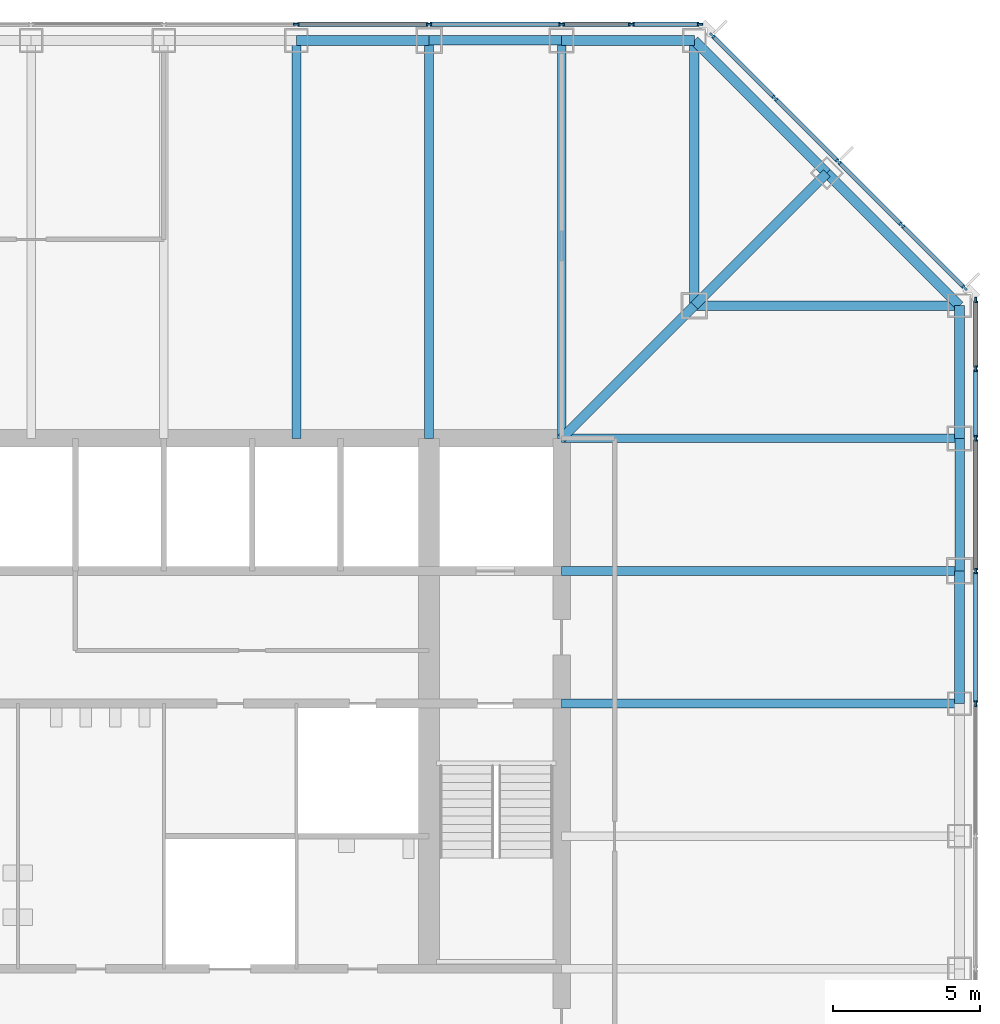
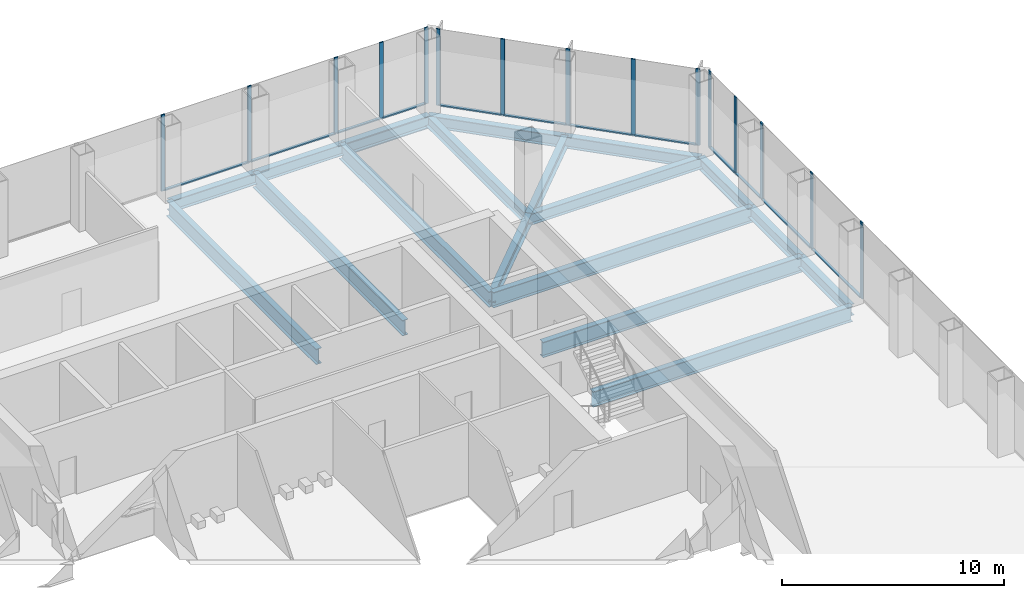
# One storey, part 6 of 12: 27 members, 18 beams, 3 elements without a shape of their own.
"""IFC4 building model written with IfcOpenShell, lengths in metres."""

from ifc_helpers import new_model, si_unit, direction, frame, origin, origin_2d, place, context, subcontext, project, spatial, rectangle, i_section, extrude, material, material_profile, profile_set, type_object, element, aggregate, save


model = new_model("IFC4")

# Units and contexts
model_context = context("Model", 3, precision=1e-05, world=origin(), true_north=direction((0.0, 1.0)))
body_context = subcontext(model_context, "Body", "Model", "MODEL_VIEW")
ifc_project = project(units=[si_unit("LENGTHUNIT", "METRE"), si_unit("AREAUNIT", "SQUARE_METRE"), si_unit("VOLUMEUNIT", "CUBIC_METRE"), si_unit("PLANEANGLEUNIT", "RADIAN"), si_unit("MASSUNIT", "GRAM", prefix="KILO")], contexts=[model_context])

# Site, building, storey
site_placement = place(None, origin())
site = spatial("IfcSite", under=ifc_project, at=site_placement, CompositionType="ELEMENT")
building_placement = place(site_placement, origin())
building = spatial("IfcBuilding", under=site, at=building_placement, Name="Corais Broadcast Tower", CompositionType="ELEMENT")
storey_placement = place(building_placement, frame((0.0, 0.0, 50.0)))
storey = spatial("IfcBuildingStorey", under=building, at=storey_placement, Name="L10", CompositionType="ELEMENT", Elevation=50.0)

# Beams
ifc_material_1 = material(Name="Steel ASTM A572 Grade 50", Category="steel")
ifc_material_profile_1 = material_profile(ifc_material_1, i_section(OverallWidth=0.323974609375, OverallDepth=0.611083984375, WebThickness=0.0126953125, FlangeThickness=0.01904296875, at=origin_2d()), Name="W610x155")
ifc_profile_set_1 = profile_set([ifc_material_profile_1], Name="Steel ASTM A572 Grade 50")
beam_type_1 = type_object("IfcBeamType", Name="Chamfer tie W610x155", PredefinedType="BEAM", material=ifc_profile_set_1)
beam_1_placement = place(storey_placement, frame((49.5, 49.5, -0.465576171875), z_axis=(-0.707106781187, -0.707106781187, 0.0), x_axis=(0.707106781187, -0.707106781187, 0.0)))
element("IfcBeam", 1, at=beam_1_placement, inside=storey, type_object=beam_type_1, Name="B5 M/14 to L/13", PredefinedType="BEAM", context=body_context, shape_type="SweptSolid", body=[
    extrude(i_section(OverallWidth=0.323974609375, OverallDepth=0.611083984375, WebThickness=0.0126953125, FlangeThickness=0.01904296875, at=origin_2d()), origin(), (0.0, 0.0, 1.0), 6.364013671875),
])
ifc_material_2 = material(Name="Steel ASTM A572 Grade 50", Category="steel")
ifc_material_profile_2 = material_profile(ifc_material_2, i_section(OverallWidth=0.323974609375, OverallDepth=0.611083984375, WebThickness=0.0126953125, FlangeThickness=0.01904296875, at=origin_2d()), Name="W610x155")
ifc_profile_set_2 = profile_set([ifc_material_profile_2], Name="Steel ASTM A572 Grade 50")
beam_type_2 = type_object("IfcBeamType", Name="Corner diagonal W610x155", PredefinedType="BEAM", material=ifc_profile_set_2)
beam_2_placement = place(storey_placement, frame((45.0, 45.0, -0.465576171875), z_axis=(-0.707106781187, -0.707106781187, 0.0), x_axis=(0.707106781187, -0.707106781187, 0.0)))
element("IfcBeam", 2, at=beam_2_placement, inside=storey, type_object=beam_type_2, Name="B6 L/13 to K/12", PredefinedType="BEAM", context=body_context, shape_type="SweptSolid", body=[
    extrude(i_section(OverallWidth=0.323974609375, OverallDepth=0.611083984375, WebThickness=0.0126953125, FlangeThickness=0.01904296875, at=origin_2d()), origin(), (0.0, 0.0, 1.0), 6.364013671875),
])
ifc_material_3 = material(Name="Steel ASTM A572 Grade 50", Category="steel")
ifc_material_profile_3 = material_profile(ifc_material_3, i_section(OverallWidth=0.323974609375, OverallDepth=0.611083984375, WebThickness=0.0126953125, FlangeThickness=0.01904296875, at=origin_2d()), Name="W610x155")
ifc_profile_set_3 = profile_set([ifc_material_profile_3], Name="Steel ASTM A572 Grade 50")
beam_type_3 = type_object("IfcBeamType", Name="Corner girder W610x155", PredefinedType="BEAM", material=ifc_profile_set_3)
for number, where, z_axis, x_axis, name in (
    (3, (45.0, 54.0, -0.465576171875), (0.0, -1.0, 0.0), (1.0, 0.0, 0.0), "B4 N/13 to L/13"),
    (4, (54.0, 45.0, -0.465576171875), (-1.0, 0.0, 0.0), (0.0, -1.0, 0.0), "B4 L/15 to L/13"),
):
    element("IfcBeam", number, at=place(storey_placement, frame(where, z_axis=z_axis, x_axis=x_axis)), inside=storey, type_object=beam_type_3, Name=name, PredefinedType="BEAM", context=body_context, shape_type="SweptSolid", body=[
        extrude(i_section(OverallWidth=0.323974609375, OverallDepth=0.611083984375, WebThickness=0.0126953125, FlangeThickness=0.01904296875, at=origin_2d()), origin(), (0.0, 0.0, 1.0), 9.0),
    ])
ifc_material_4 = material(Name="Steel ASTM A572 Grade 50", Category="steel")
ifc_material_profile_4 = material_profile(ifc_material_4, i_section(OverallWidth=0.337890625, OverallDepth=0.677978515625, WebThickness=0.029541015625, FlangeThickness=0.052978515625, at=origin_2d()), Name="W610x415")
ifc_profile_set_4 = profile_set([ifc_material_profile_4], Name="Steel ASTM A572 Grade 50")
beam_type_4 = type_object("IfcBeamType", Name="Corner spandrel W610x415", PredefinedType="BEAM", material=ifc_profile_set_4)
for number, where, z_axis, x_axis, name in (
    (5, (45.0, 54.0, -0.4990234375), (-1.0, 0.0, 0.0), (0.0, -1.0, 0.0), "SB10 N/13 to N/12"),
    (6, (54.0, 40.5, -0.4990234375), (0.0, 1.0, 0.0), (-1.0, 0.0, 0.0), "SB10 K/15 to L/15"),
):
    element("IfcBeam", number, at=place(storey_placement, frame(where, z_axis=z_axis, x_axis=x_axis)), inside=storey, type_object=beam_type_4, Name=name, PredefinedType="BEAM", context=body_context, shape_type="SweptSolid", body=[
        extrude(i_section(OverallWidth=0.337890625, OverallDepth=0.677978515625, WebThickness=0.029541015625, FlangeThickness=0.052978515625, at=origin_2d()), origin(), (0.0, 0.0, 1.0), 4.5),
    ])
ifc_material_5 = material(Name="Steel ASTM A572 Grade 50", Category="steel")
ifc_material_profile_5 = material_profile(ifc_material_5, i_section(OverallWidth=0.2939453125, OverallDepth=0.85107421875, WebThickness=0.01611328125, FlangeThickness=0.02685546875, at=origin_2d()), Name="W840x226")
ifc_profile_set_5 = profile_set([ifc_material_profile_5], Name="Steel ASTM A572 Grade 50")
beam_type_5 = type_object("IfcBeamType", Name="Floor beam W840x226", PredefinedType="BEAM", material=ifc_profile_set_5)
for number, where, z_axis, x_axis, name in (
    (7, (31.5, 54.0, -0.58544921875), (0.0, -1.0, 0.0), (1.0, 0.0, 0.0), "B1 N/10 to K/10"),
    (8, (36.0, 54.0, -0.58544921875), (0.0, -1.0, 0.0), (1.0, 0.0, 0.0), "B1 N/11 to K/11"),
    (9, (40.5, 54.0, -0.58544921875), (0.0, -1.0, 0.0), (1.0, 0.0, 0.0), "B1 N/12 to K/12"),
    (10, (54.0, 31.5, -0.58544921875), (-1.0, 0.0, 0.0), (0.0, -1.0, 0.0), "B1 H/15 to H/12"),
    (11, (54.0, 36.0, -0.58544921875), (-1.0, 0.0, 0.0), (0.0, -1.0, 0.0), "B1 J/15 to J/12"),
    (12, (54.0, 40.5, -0.58544921875), (-1.0, 0.0, 0.0), (0.0, -1.0, 0.0), "B1 K/15 to K/12"),
):
    element("IfcBeam", number, at=place(storey_placement, frame(where, z_axis=z_axis, x_axis=x_axis)), inside=storey, type_object=beam_type_5, Name=name, PredefinedType="BEAM", context=body_context, shape_type="SweptSolid", body=[
        extrude(i_section(OverallWidth=0.2939453125, OverallDepth=0.85107421875, WebThickness=0.01611328125, FlangeThickness=0.02685546875, at=origin_2d()), origin(), (0.0, 0.0, 1.0), 13.5),
    ])

# Curtain wall, members
ifc_material_6 = material(Name="Aluminium and glass", Category="aluminium")
curtain_wall_type = type_object("IfcCurtainWallType", Name="Unitised fritted curtain wall CW1", PredefinedType="NOTDEFINED", material=ifc_material_6)
curtain_wall_1_placement = place(storey_placement, origin())
curtain_wall_1 = element("IfcCurtainWall", 13, at=curtain_wall_1_placement, inside=storey, type_object=curtain_wall_type, Name="CW1 curtain wall L10 4", PredefinedType="NOTDEFINED")
ifc_material_7 = material(Name="Aluminium 6063-T6", Category="aluminium")
ifc_material_profile_6 = material_profile(ifc_material_7, rectangle(XDim=0.06494140625, YDim=0.199951171875, at=origin_2d()), Name="Mullion CW1 65x200")
ifc_profile_set_6 = profile_set([ifc_material_profile_6], Name="Aluminium 6063-T6")
member_type_1 = type_object("IfcMemberType", Name="Mullion CW1 65x200", PredefinedType="MULLION", material=ifc_profile_set_6)
member_1_placement = place(storey_placement, frame((31.5, 54.550048828125, 0.0), z_axis=(0.0, 0.0, 1.0), x_axis=(0.0, 1.0, 0.0)))
member_1 = element("IfcMember", 14, at=member_1_placement, type_object=member_type_1, Name="CW1 mullion 7", PredefinedType="MULLION", context=body_context, shape_type="SweptSolid", body=[
    extrude(rectangle(XDim=0.06494140625, YDim=0.199951171875, at=origin_2d()), origin(), (0.0, 0.0, 1.0), 4.199951171875),
])
member_2_placement = place(storey_placement, frame((36.0, 54.550048828125, 0.0), z_axis=(0.0, 0.0, 1.0), x_axis=(0.0, 1.0, 0.0)))
member_2 = element("IfcMember", 15, at=member_2_placement, type_object=member_type_1, Name="CW1 mullion 8", PredefinedType="MULLION", context=body_context, shape_type="SweptSolid", body=[
    extrude(rectangle(XDim=0.06494140625, YDim=0.199951171875, at=origin_2d()), origin(), (0.0, 0.0, 1.0), 4.199951171875),
])
member_3_placement = place(storey_placement, frame((40.5, 54.550048828125, 0.0), z_axis=(0.0, 0.0, 1.0), x_axis=(0.0, 1.0, 0.0)))
member_3 = element("IfcMember", 16, at=member_3_placement, type_object=member_type_1, Name="CW1 mullion 9", PredefinedType="MULLION", context=body_context, shape_type="SweptSolid", body=[
    extrude(rectangle(XDim=0.06494140625, YDim=0.199951171875, at=origin_2d()), origin(), (0.0, 0.0, 1.0), 4.199951171875),
])
member_4_placement = place(storey_placement, frame((42.864013671875, 54.550048828125, 0.0), z_axis=(0.0, 0.0, 1.0), x_axis=(0.0, 1.0, 0.0)))
member_4 = element("IfcMember", 17, at=member_4_placement, type_object=member_type_1, Name="CW1 mullion 10", PredefinedType="MULLION", context=body_context, shape_type="SweptSolid", body=[
    extrude(rectangle(XDim=0.06494140625, YDim=0.199951171875, at=origin_2d()), origin(), (0.0, 0.0, 1.0), 4.199951171875),
])
member_5_placement = place(storey_placement, frame((45.1953125, 54.550048828125, 0.0), z_axis=(0.0, 0.0, 1.0), x_axis=(0.0, 1.0, 0.0)))
member_5 = element("IfcMember", 18, at=member_5_placement, type_object=member_type_1, Name="CW1 mullion 11", PredefinedType="MULLION", context=body_context, shape_type="SweptSolid", body=[
    extrude(rectangle(XDim=0.06494140625, YDim=0.199951171875, at=origin_2d()), origin(), (0.0, 0.0, 1.0), 4.199951171875),
])

curtain_wall_2_placement = place(storey_placement, origin())
curtain_wall_2 = element("IfcCurtainWall", 19, at=curtain_wall_2_placement, inside=storey, type_object=curtain_wall_type, Name="CW1 curtain wall L10 5", PredefinedType="NOTDEFINED")
member_6_placement = place(storey_placement, frame((45.6044921875, 54.17333984375, 0.0), z_axis=(0.0, 0.0, 1.0), x_axis=(0.707106781187, 0.707106781187, 0.0)))
member_6 = element("IfcMember", 20, at=member_6_placement, type_object=member_type_1, Name="CW1 mullion 1", PredefinedType="MULLION", context=body_context, shape_type="SweptSolid", body=[
    extrude(rectangle(XDim=0.06494140625, YDim=0.199951171875, at=origin_2d()), origin(), (0.0, 0.0, 1.0), 4.199951171875),
])
member_7_placement = place(storey_placement, frame((47.735107421875, 52.042724609375, 0.0), z_axis=(0.0, 0.0, 1.0), x_axis=(0.707106781187, 0.707106781187, 0.0)))
member_7 = element("IfcMember", 21, at=member_7_placement, type_object=member_type_1, Name="CW1 mullion 2", PredefinedType="MULLION", context=body_context, shape_type="SweptSolid", body=[
    extrude(rectangle(XDim=0.06494140625, YDim=0.199951171875, at=origin_2d()), origin(), (0.0, 0.0, 1.0), 4.199951171875),
])
member_8_placement = place(storey_placement, frame((49.888916015625, 49.888916015625, 0.0), z_axis=(0.0, 0.0, 1.0), x_axis=(0.707106781187, 0.707106781187, 0.0)))
member_8 = element("IfcMember", 22, at=member_8_placement, type_object=member_type_1, Name="CW1 mullion 3", PredefinedType="MULLION", context=body_context, shape_type="SweptSolid", body=[
    extrude(rectangle(XDim=0.06494140625, YDim=0.199951171875, at=origin_2d()), origin(), (0.0, 0.0, 1.0), 4.199951171875),
])
member_9_placement = place(storey_placement, frame((52.042724609375, 47.735107421875, 0.0), z_axis=(0.0, 0.0, 1.0), x_axis=(0.707106781187, 0.707106781187, 0.0)))
member_9 = element("IfcMember", 23, at=member_9_placement, type_object=member_type_1, Name="CW1 mullion 4", PredefinedType="MULLION", context=body_context, shape_type="SweptSolid", body=[
    extrude(rectangle(XDim=0.06494140625, YDim=0.199951171875, at=origin_2d()), origin(), (0.0, 0.0, 1.0), 4.199951171875),
])
member_10_placement = place(storey_placement, frame((54.17333984375, 45.6044921875, 0.0), z_axis=(0.0, 0.0, 1.0), x_axis=(0.707106781187, 0.707106781187, 0.0)))
member_10 = element("IfcMember", 24, at=member_10_placement, type_object=member_type_1, Name="CW1 mullion 5", PredefinedType="MULLION", context=body_context, shape_type="SweptSolid", body=[
    extrude(rectangle(XDim=0.06494140625, YDim=0.199951171875, at=origin_2d()), origin(), (0.0, 0.0, 1.0), 4.199951171875),
])

curtain_wall_3_placement = place(storey_placement, origin())
curtain_wall_3 = element("IfcCurtainWall", 25, at=curtain_wall_3_placement, inside=storey, type_object=curtain_wall_type, Name="CW1 curtain wall L10 6", PredefinedType="NOTDEFINED")
member_11_placement = place(storey_placement, frame((54.550048828125, 45.1953125, 0.0), z_axis=(0.0, 0.0, 1.0), x_axis=(1.0, 0.0, 0.0)))
member_11 = element("IfcMember", 26, at=member_11_placement, type_object=member_type_1, Name="CW1 mullion 1", PredefinedType="MULLION", context=body_context, shape_type="SweptSolid", body=[
    extrude(rectangle(XDim=0.06494140625, YDim=0.199951171875, at=origin_2d()), origin(), (0.0, 0.0, 1.0), 4.199951171875),
])
member_12_placement = place(storey_placement, frame((54.550048828125, 42.864013671875, 0.0), z_axis=(0.0, 0.0, 1.0), x_axis=(1.0, 0.0, 0.0)))
member_12 = element("IfcMember", 27, at=member_12_placement, type_object=member_type_1, Name="CW1 mullion 2", PredefinedType="MULLION", context=body_context, shape_type="SweptSolid", body=[
    extrude(rectangle(XDim=0.06494140625, YDim=0.199951171875, at=origin_2d()), origin(), (0.0, 0.0, 1.0), 4.199951171875),
])
member_13_placement = place(storey_placement, frame((54.550048828125, 40.5, 0.0), z_axis=(0.0, 0.0, 1.0), x_axis=(1.0, 0.0, 0.0)))
member_13 = element("IfcMember", 28, at=member_13_placement, type_object=member_type_1, Name="CW1 mullion 3", PredefinedType="MULLION", context=body_context, shape_type="SweptSolid", body=[
    extrude(rectangle(XDim=0.06494140625, YDim=0.199951171875, at=origin_2d()), origin(), (0.0, 0.0, 1.0), 4.199951171875),
])
member_14_placement = place(storey_placement, frame((54.550048828125, 36.0, 0.0), z_axis=(0.0, 0.0, 1.0), x_axis=(1.0, 0.0, 0.0)))
member_14 = element("IfcMember", 29, at=member_14_placement, type_object=member_type_1, Name="CW1 mullion 4", PredefinedType="MULLION", context=body_context, shape_type="SweptSolid", body=[
    extrude(rectangle(XDim=0.06494140625, YDim=0.199951171875, at=origin_2d()), origin(), (0.0, 0.0, 1.0), 4.199951171875),
])
member_15_placement = place(storey_placement, frame((54.550048828125, 31.5, 0.0), z_axis=(0.0, 0.0, 1.0), x_axis=(1.0, 0.0, 0.0)))
member_15 = element("IfcMember", 30, at=member_15_placement, type_object=member_type_1, Name="CW1 mullion 5", PredefinedType="MULLION", context=body_context, shape_type="SweptSolid", body=[
    extrude(rectangle(XDim=0.06494140625, YDim=0.199951171875, at=origin_2d()), origin(), (0.0, 0.0, 1.0), 4.199951171875),
])

# Beams
ifc_material_8 = material(Name="Steel ASTM A572 Grade 50", Category="steel")
ifc_material_profile_7 = material_profile(ifc_material_8, i_section(OverallWidth=0.323974609375, OverallDepth=0.611083984375, WebThickness=0.0126953125, FlangeThickness=0.01904296875, at=origin_2d()), Name="W610x155")
ifc_profile_set_7 = profile_set([ifc_material_profile_7], Name="Steel ASTM A572 Grade 50")
beam_type_6 = type_object("IfcBeamType", Name="Pinned spandrel W610x155", PredefinedType="BEAM", material=ifc_profile_set_7)
for number, where, z_axis, x_axis, name in (
    (31, (40.5, 54.0, -0.465576171875), (-1.0, 0.0, 0.0), (0.0, -1.0, 0.0), "SB6 N/12 to N/11"),
    (32, (54.0, 36.0, -0.465576171875), (0.0, 1.0, 0.0), (-1.0, 0.0, 0.0), "SB6 J/15 to K/15"),
):
    element("IfcBeam", number, at=place(storey_placement, frame(where, z_axis=z_axis, x_axis=x_axis)), inside=storey, type_object=beam_type_6, Name=name, PredefinedType="BEAM", context=body_context, shape_type="SweptSolid", body=[
        extrude(i_section(OverallWidth=0.323974609375, OverallDepth=0.611083984375, WebThickness=0.0126953125, FlangeThickness=0.01904296875, at=origin_2d()), origin(), (0.0, 0.0, 1.0), 4.5),
    ])
ifc_material_9 = material(Name="Steel ASTM A572 Grade 50", Category="steel")
ifc_material_profile_8 = material_profile(ifc_material_9, i_section(OverallWidth=0.3291015625, OverallDepth=0.635009765625, WebThickness=0.017822265625, FlangeThickness=0.031005859375, at=origin_2d()), Name="W610x241")
ifc_profile_set_8 = profile_set([ifc_material_profile_8], Name="Steel ASTM A572 Grade 50")
beam_type_7 = type_object("IfcBeamType", Name="Spandrel W610x241", PredefinedType="BEAM", material=ifc_profile_set_8)
beam_3_placement = place(storey_placement, frame((36.0, 54.0, -0.4775390625), z_axis=(-1.0, 0.0, 0.0), x_axis=(0.0, -1.0, 0.0)))
element("IfcBeam", 33, at=beam_3_placement, inside=storey, type_object=beam_type_7, Name="SB1 N/11 to N/10", PredefinedType="BEAM", context=body_context, shape_type="SweptSolid", body=[
    extrude(i_section(OverallWidth=0.3291015625, OverallDepth=0.635009765625, WebThickness=0.017822265625, FlangeThickness=0.031005859375, at=origin_2d()), origin(), (0.0, 0.0, 1.0), 4.5),
])
beam_4_placement = place(storey_placement, frame((49.5, 49.5, -0.4775390625), z_axis=(-0.707106781187, 0.707106781187, 0.0), x_axis=(-0.707106781187, -0.707106781187, 0.0)))
element("IfcBeam", 34, at=beam_4_placement, inside=storey, type_object=beam_type_7, Name="SB1 M/14 to N/13", PredefinedType="BEAM", context=body_context, shape_type="SweptSolid", body=[
    extrude(i_section(OverallWidth=0.3291015625, OverallDepth=0.635009765625, WebThickness=0.017822265625, FlangeThickness=0.031005859375, at=origin_2d()), origin(), (0.0, 0.0, 1.0), 6.364013671875),
])
beam_5_placement = place(storey_placement, frame((54.0, 31.5, -0.4775390625), z_axis=(0.0, 1.0, 0.0), x_axis=(-1.0, 0.0, 0.0)))
element("IfcBeam", 35, at=beam_5_placement, inside=storey, type_object=beam_type_7, Name="SB1 H/15 to J/15", PredefinedType="BEAM", context=body_context, shape_type="SweptSolid", body=[
    extrude(i_section(OverallWidth=0.3291015625, OverallDepth=0.635009765625, WebThickness=0.017822265625, FlangeThickness=0.031005859375, at=origin_2d()), origin(), (0.0, 0.0, 1.0), 4.5),
])
beam_6_placement = place(storey_placement, frame((54.0, 45.0, -0.4775390625), z_axis=(-0.707106781187, 0.707106781187, 0.0), x_axis=(-0.707106781187, -0.707106781187, 0.0)))
element("IfcBeam", 36, at=beam_6_placement, inside=storey, type_object=beam_type_7, Name="SB1 L/15 to M/14", PredefinedType="BEAM", context=body_context, shape_type="SweptSolid", body=[
    extrude(i_section(OverallWidth=0.3291015625, OverallDepth=0.635009765625, WebThickness=0.017822265625, FlangeThickness=0.031005859375, at=origin_2d()), origin(), (0.0, 0.0, 1.0), 6.364013671875),
])

# Member
ifc_material_10 = material(Name="Aluminium 6063-T6", Category="aluminium")
ifc_material_profile_9 = material_profile(ifc_material_10, rectangle(XDim=0.139892578125, YDim=0.06494140625, at=origin_2d()), Name="Transom CW1 65x140")
ifc_profile_set_9 = profile_set([ifc_material_profile_9], Name="Aluminium 6063-T6")
member_type_2 = type_object("IfcMemberType", Name="Transom CW1 65x140", PredefinedType="USERDEFINED", material=ifc_profile_set_9)
member_16_placement = place(storey_placement, frame((31.532470703125, 54.550048828125, 0.032470703125), z_axis=(1.0, 0.0, 0.0), x_axis=(0.0, 1.0, 0.0)))
member_16 = element("IfcMember", 37, at=member_16_placement, type_object=member_type_2, Name="CW1 transom 7.1", ObjectType="TRANSOM", PredefinedType="USERDEFINED", context=body_context, shape_type="SweptSolid", body=[
    extrude(rectangle(XDim=0.139892578125, YDim=0.06494140625, at=origin_2d()), origin(), (0.0, 0.0, 1.0), 4.43505859375),
])

member_17_placement = place(storey_placement, frame((36.032470703125, 54.550048828125, 0.032470703125), z_axis=(1.0, 0.0, 0.0), x_axis=(0.0, 1.0, 0.0)))
member_17 = element("IfcMember", 38, at=member_17_placement, type_object=member_type_2, Name="CW1 transom 8.1", ObjectType="TRANSOM", PredefinedType="USERDEFINED", context=body_context, shape_type="SweptSolid", body=[
    extrude(rectangle(XDim=0.139892578125, YDim=0.06494140625, at=origin_2d()), origin(), (0.0, 0.0, 1.0), 4.43505859375),
])

member_18_placement = place(storey_placement, frame((40.532470703125, 54.550048828125, 0.032470703125), z_axis=(1.0, 0.0, 0.0), x_axis=(0.0, 1.0, 0.0)))
member_18 = element("IfcMember", 39, at=member_18_placement, type_object=member_type_2, Name="CW1 transom 9.1", ObjectType="TRANSOM", PredefinedType="USERDEFINED", context=body_context, shape_type="SweptSolid", body=[
    extrude(rectangle(XDim=0.139892578125, YDim=0.06494140625, at=origin_2d()), origin(), (0.0, 0.0, 1.0), 2.298828125),
])

member_19_placement = place(storey_placement, frame((42.896484375, 54.550048828125, 0.032470703125), z_axis=(1.0, 0.0, 0.0), x_axis=(0.0, 1.0, 0.0)))
member_19 = element("IfcMember", 40, at=member_19_placement, type_object=member_type_2, Name="CW1 transom 10.1", ObjectType="TRANSOM", PredefinedType="USERDEFINED", context=body_context, shape_type="SweptSolid", body=[
    extrude(rectangle(XDim=0.139892578125, YDim=0.06494140625, at=origin_2d()), origin(), (0.0, 0.0, 1.0), 2.266357421875),
])

aggregate(curtain_wall_1, [member_1, member_2, member_3, member_4, member_5, member_16, member_17, member_18, member_19])

member_20_placement = place(storey_placement, frame((45.62744140625, 54.150390625, 0.032470703125), z_axis=(0.707106781187, -0.707106781187, 0.0), x_axis=(0.707106781187, 0.707106781187, 0.0)))
member_20 = element("IfcMember", 41, at=member_20_placement, type_object=member_type_2, Name="CW1 transom 1.1", ObjectType="TRANSOM", PredefinedType="USERDEFINED", context=body_context, shape_type="SweptSolid", body=[
    extrude(rectangle(XDim=0.139892578125, YDim=0.06494140625, at=origin_2d()), origin(), (0.0, 0.0, 1.0), 2.9482421875),
])

member_21_placement = place(storey_placement, frame((47.758056640625, 52.019775390625, 0.032470703125), z_axis=(0.707106781187, -0.707106781187, 0.0), x_axis=(0.707106781187, 0.707106781187, 0.0)))
member_21 = element("IfcMember", 42, at=member_21_placement, type_object=member_type_2, Name="CW1 transom 2.1", ObjectType="TRANSOM", PredefinedType="USERDEFINED", context=body_context, shape_type="SweptSolid", body=[
    extrude(rectangle(XDim=0.139892578125, YDim=0.06494140625, at=origin_2d()), origin(), (0.0, 0.0, 1.0), 2.98095703125),
])

member_22_placement = place(storey_placement, frame((49.911865234375, 49.865966796875, 0.032470703125), z_axis=(0.707106781187, -0.707106781187, 0.0), x_axis=(0.707106781187, 0.707106781187, 0.0)))
member_22 = element("IfcMember", 43, at=member_22_placement, type_object=member_type_2, Name="CW1 transom 3.1", ObjectType="TRANSOM", PredefinedType="USERDEFINED", context=body_context, shape_type="SweptSolid", body=[
    extrude(rectangle(XDim=0.139892578125, YDim=0.06494140625, at=origin_2d()), origin(), (0.0, 0.0, 1.0), 2.98095703125),
])

member_23_placement = place(storey_placement, frame((52.065673828125, 47.712158203125, 0.032470703125), z_axis=(0.707106781187, -0.707106781187, 0.0), x_axis=(0.707106781187, 0.707106781187, 0.0)))
member_23 = element("IfcMember", 44, at=member_23_placement, type_object=member_type_2, Name="CW1 transom 4.1", ObjectType="TRANSOM", PredefinedType="USERDEFINED", context=body_context, shape_type="SweptSolid", body=[
    extrude(rectangle(XDim=0.139892578125, YDim=0.06494140625, at=origin_2d()), origin(), (0.0, 0.0, 1.0), 2.9482421875),
])

aggregate(curtain_wall_2, [member_6, member_7, member_8, member_9, member_10, member_20, member_21, member_22, member_23])

member_24_placement = place(storey_placement, frame((54.550048828125, 45.162841796875, 0.032470703125), z_axis=(0.0, -1.0, 0.0), x_axis=(1.0, 0.0, 0.0)))
member_24 = element("IfcMember", 45, at=member_24_placement, type_object=member_type_2, Name="CW1 transom 1.1", ObjectType="TRANSOM", PredefinedType="USERDEFINED", context=body_context, shape_type="SweptSolid", body=[
    extrude(rectangle(XDim=0.139892578125, YDim=0.06494140625, at=origin_2d()), origin(), (0.0, 0.0, 1.0), 2.266357421875),
])

member_25_placement = place(storey_placement, frame((54.550048828125, 42.831298828125, 0.032470703125), z_axis=(0.0, -1.0, 0.0), x_axis=(1.0, 0.0, 0.0)))
member_25 = element("IfcMember", 46, at=member_25_placement, type_object=member_type_2, Name="CW1 transom 2.1", ObjectType="TRANSOM", PredefinedType="USERDEFINED", context=body_context, shape_type="SweptSolid", body=[
    extrude(rectangle(XDim=0.139892578125, YDim=0.06494140625, at=origin_2d()), origin(), (0.0, 0.0, 1.0), 2.298828125),
])

member_26_placement = place(storey_placement, frame((54.550048828125, 40.467529296875, 0.032470703125), z_axis=(0.0, -1.0, 0.0), x_axis=(1.0, 0.0, 0.0)))
member_26 = element("IfcMember", 47, at=member_26_placement, type_object=member_type_2, Name="CW1 transom 3.1", ObjectType="TRANSOM", PredefinedType="USERDEFINED", context=body_context, shape_type="SweptSolid", body=[
    extrude(rectangle(XDim=0.139892578125, YDim=0.06494140625, at=origin_2d()), origin(), (0.0, 0.0, 1.0), 4.43505859375),
])

member_27_placement = place(storey_placement, frame((54.550048828125, 35.967529296875, 0.032470703125), z_axis=(0.0, -1.0, 0.0), x_axis=(1.0, 0.0, 0.0)))
member_27 = element("IfcMember", 48, at=member_27_placement, type_object=member_type_2, Name="CW1 transom 4.1", ObjectType="TRANSOM", PredefinedType="USERDEFINED", context=body_context, shape_type="SweptSolid", body=[
    extrude(rectangle(XDim=0.139892578125, YDim=0.06494140625, at=origin_2d()), origin(), (0.0, 0.0, 1.0), 4.43505859375),
])

aggregate(curtain_wall_3, [member_11, member_12, member_13, member_14, member_15, member_24, member_25, member_26, member_27])

save(model, "model.ifc")
